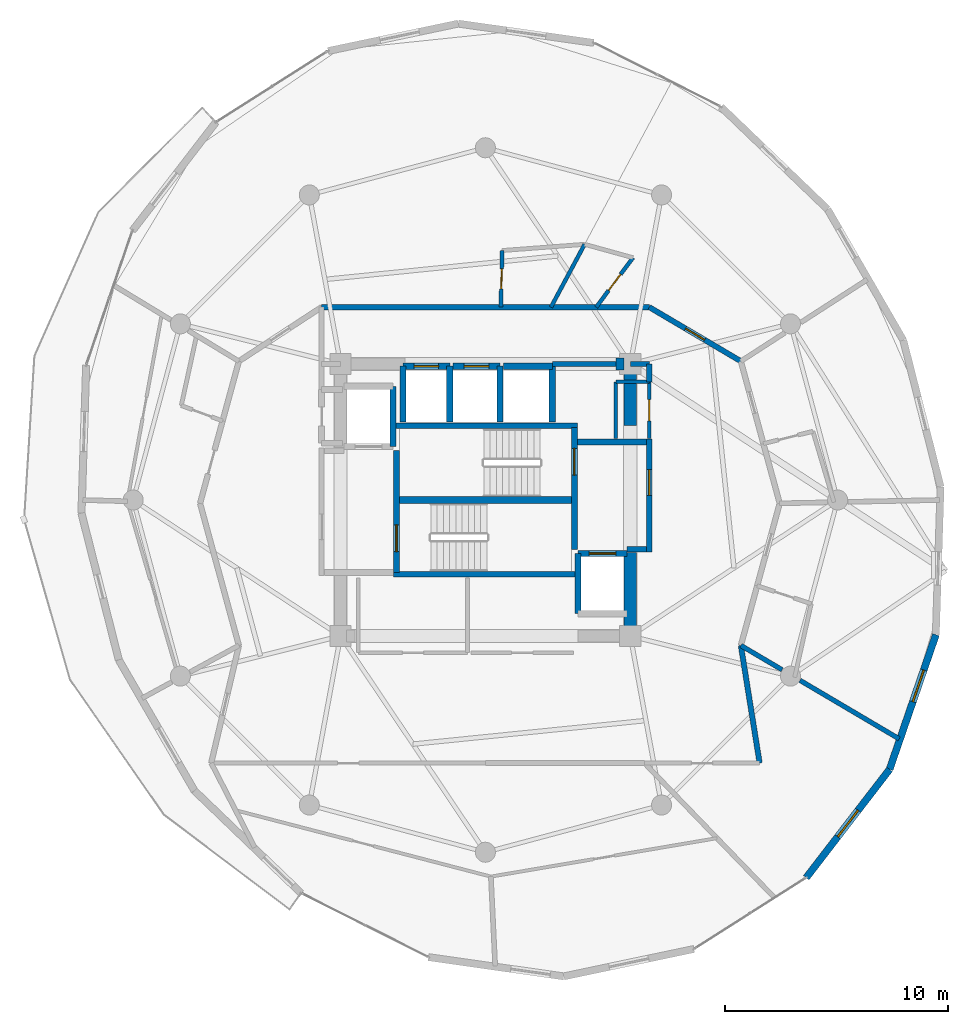
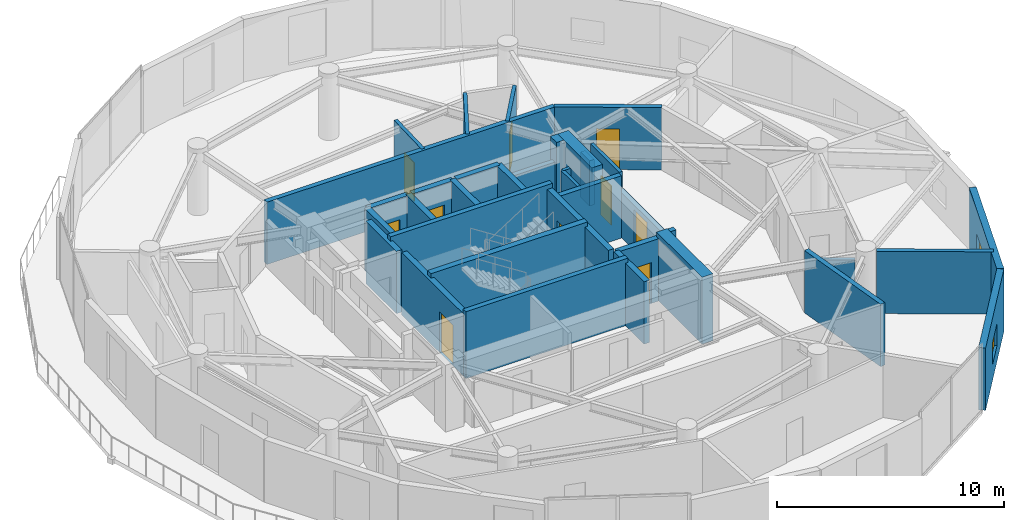
# One storey, part 16 of 19: 37 walls, 10 doors, 2 windows, 12 openings.
"""IFC4 building model written with IfcOpenShell, lengths in metres."""

from ifc_helpers import new_model, si_unit, direction, frame, frame_2d, origin, place, context, subcontext, project, spatial, rectangle, extrude, material, layer, layer_set, type_object, element, fill, save


model = new_model("IFC4")

# Units and contexts
model_context = context("Model", 3, precision=1e-05, world=origin(), true_north=direction((0.0, 1.0)))
body_context = subcontext(model_context, "Body", "Model", "MODEL_VIEW")
ifc_project = project(units=[si_unit("LENGTHUNIT", "METRE"), si_unit("AREAUNIT", "SQUARE_METRE"), si_unit("VOLUMEUNIT", "CUBIC_METRE"), si_unit("PLANEANGLEUNIT", "RADIAN"), si_unit("MASSUNIT", "GRAM", prefix="KILO")], contexts=[model_context])

# Site, building, storey
site_placement = place(None, origin())
site = spatial("IfcSite", under=ifc_project, at=site_placement, CompositionType="ELEMENT")
building_placement = place(site_placement, origin())
building = spatial("IfcBuilding", under=site, at=building_placement, Name="Solvirekh Grand Hotel", CompositionType="ELEMENT")
storey_placement = place(building_placement, frame((0.0, 0.0, 212.800048828125)))
storey = spatial("IfcBuildingStorey", under=building, at=storey_placement, Name="L55", CompositionType="ELEMENT", Elevation=212.800048828125)

# Walls
ifc_material_1 = material(Name="Concrete C50/60", Category="concrete")
ifc_layer_1 = layer(ifc_material_1, 0.35009765625)
ifc_layer_set_1 = layer_set([ifc_layer_1], Name="Concrete C50/60")
wall_type_1 = type_object("IfcWallType", Name="CoreDivWall_RC350", PredefinedType="SOLIDWALL", material=ifc_layer_set_1)
for number, where, z_axis, x_axis, name in (
    (1, (-4.1298828125, -3.324951171875, 0.0), (0.0, 0.0, 1.0), (1.0, 0.0, 0.0), "L55 core stair box wall ST-S"),
    (2, (-4.1298828125, 3.324951171875, 0.0), (0.0, 0.0, 1.0), (1.0, 0.0, 0.0), "L55 core stair box wall ST-N"),
):
    element("IfcWall", number, at=place(storey_placement, frame(where, z_axis=z_axis, x_axis=x_axis)), inside=storey, type_object=wall_type_1, Name=name, PredefinedType="SOLIDWALL", context=body_context, shape_type="SweptSolid", body=[
        extrude(rectangle(XDim=8.259765625, YDim=0.25, at=frame_2d((4.1298828125, 0.0))), origin(), (0.0, 0.0, 1.0), 3.599853515625),
    ])

# Wall, opening, door
ifc_material_2 = material(Name="Concrete C40/50", Category="concrete")
ifc_layer_2 = layer(ifc_material_2, 0.280029296875)
ifc_layer_set_2 = layer_set([ifc_layer_2], Name="Concrete C40/50")
wall_type_2 = type_object("IfcWallType", Name="CoreShaftWall_RC280", PredefinedType="SOLIDWALL", material=ifc_layer_set_2)
wall_1_placement = place(storey_placement, frame((-1.60009765625, 6.0, 0.0), z_axis=(0.0, 0.0, 1.0), x_axis=(-1.0, 0.0, 0.0)))
wall_1 = element("IfcWall", 3, at=wall_1_placement, inside=storey, type_object=wall_type_2, Name="L55 HP-1 hoistway N wall", PredefinedType="SOLIDWALL", context=body_context, shape_type="SweptSolid", body=[
    extrude(rectangle(XDim=2.099853515625, YDim=0.280029296875, at=frame_2d((1.0498046875, 0.0))), origin(), (0.0, 0.0, 1.0), 3.35986328125),
])
opening_1_placement = place(wall_1_placement, frame((0.5, 0.0, 0.0)))
opening_1 = element("IfcOpeningElement", 4, at=opening_1_placement, cuts=wall_1, Name="Opening LD01", PredefinedType="OPENING", context=body_context, shape_type="SweptSolid", body=[
    extrude(rectangle(XDim=1.10009765625, YDim=2.199951171875, at=frame_2d((0.550048828125, 1.10009765625))), frame((0.0, 0.14990234375, 0.0), z_axis=(0.0, -1.0, 0.0), x_axis=(1.0, 0.0, 0.0)), (0.0, 0.0, 1.0), 0.300048828125),
])
ifc_material_3 = material(Name="Fire-Rated Steel Door Assembly", Category="steel")
door_type_1 = type_object("IfcDoorType", Name="Door_LiftLanding_1100X2200", OperationType="SLIDING_TO_LEFT", PredefinedType="DOOR", material=ifc_material_3)
door_1_placement = place(opening_1_placement, origin())
door_1 = element("IfcDoor", 5, at=door_1_placement, inside=storey, type_object=door_type_1, Name="L55 HP-1 sliding lift landing door", OperationType="SLIDING_TO_LEFT", OverallHeight=2.199951171875, OverallWidth=1.10009765625, PredefinedType="DOOR", context=body_context, shape_type="SweptSolid", body=[
    extrude(rectangle(XDim=1.10009765625, YDim=2.199951171875, at=frame_2d((0.550048828125, 1.10009765625))), frame((0.0, 0.02490234375, 0.0), z_axis=(0.0, -1.0, 0.0), x_axis=(1.0, 0.0, 0.0)), (0.0, 0.0, 1.0), 0.050048828125),
])
fill(opening_1, door_1)

# Walls
for number, where, z_axis, x_axis, name in (
    (6, (-3.699951171875, 6.0, 0.0), (0.0, 0.0, 1.0), (0.0, -1.0, 0.0), "L55 HP-1 hoistway W wall"),
    (7, (-1.60009765625, 3.5, 0.0), (0.0, 0.0, 1.0), (0.0, 1.0, 0.0), "L55 HP-1 hoistway E wall"),
):
    element("IfcWall", number, at=place(storey_placement, frame(where, z_axis=z_axis, x_axis=x_axis)), inside=storey, type_object=wall_type_2, Name=name, PredefinedType="SOLIDWALL", context=body_context, shape_type="SweptSolid", body=[
        extrude(rectangle(XDim=2.5, YDim=0.280029296875, at=frame_2d((1.25, 0.0))), origin(), (0.0, 0.0, 1.0), 3.35986328125),
    ])

# Wall, opening, door
wall_2_placement = place(storey_placement, frame((0.64990234375, 6.0, 0.0), z_axis=(0.0, 0.0, 1.0), x_axis=(-1.0, 0.0, 0.0)))
wall_2 = element("IfcWall", 8, at=wall_2_placement, inside=storey, type_object=wall_type_2, Name="L55 HP-2 hoistway N wall", PredefinedType="SOLIDWALL", context=body_context, shape_type="SweptSolid", body=[
    extrude(rectangle(XDim=2.099853515625, YDim=0.280029296875, at=frame_2d((1.0498046875, 0.0))), origin(), (0.0, 0.0, 1.0), 3.35986328125),
])
opening_2_placement = place(wall_2_placement, frame((0.5, 0.0, 0.0)))
opening_2 = element("IfcOpeningElement", 9, at=opening_2_placement, cuts=wall_2, Name="Opening LD01", PredefinedType="OPENING", context=body_context, shape_type="SweptSolid", body=[
    extrude(rectangle(XDim=1.10009765625, YDim=2.199951171875, at=frame_2d((0.550048828125, 1.10009765625))), frame((0.0, 0.14990234375, 0.0), z_axis=(0.0, -1.0, 0.0), x_axis=(1.0, 0.0, 0.0)), (0.0, 0.0, 1.0), 0.300048828125),
])
door_2_placement = place(opening_2_placement, origin())
door_2 = element("IfcDoor", 10, at=door_2_placement, inside=storey, type_object=door_type_1, Name="L55 HP-2 sliding lift landing door", OperationType="SLIDING_TO_LEFT", OverallHeight=2.199951171875, OverallWidth=1.10009765625, PredefinedType="DOOR", context=body_context, shape_type="SweptSolid", body=[
    extrude(rectangle(XDim=1.10009765625, YDim=2.199951171875, at=frame_2d((0.550048828125, 1.10009765625))), frame((0.0, 0.02490234375, 0.0), z_axis=(0.0, -1.0, 0.0), x_axis=(1.0, 0.0, 0.0)), (0.0, 0.0, 1.0), 0.050048828125),
])
fill(opening_2, door_2)

# Walls
wall_3_placement = place(storey_placement, frame((0.64990234375, 3.5, 0.0), z_axis=(0.0, 0.0, 1.0), x_axis=(0.0, 1.0, 0.0)))
element("IfcWall", 11, at=wall_3_placement, inside=storey, type_object=wall_type_2, Name="L55 HP-2 hoistway E wall", PredefinedType="SOLIDWALL", context=body_context, shape_type="SweptSolid", body=[
    extrude(rectangle(XDim=2.5, YDim=0.280029296875, at=frame_2d((1.25, 0.0))), origin(), (0.0, 0.0, 1.0), 3.35986328125),
])
wall_4_placement = place(storey_placement, frame((3.0, 6.0, 0.0), z_axis=(0.0, 0.0, 1.0), x_axis=(-1.0, 0.0, 0.0)))
element("IfcWall", 12, at=wall_4_placement, inside=storey, type_object=wall_type_2, Name="L55 EX-1 hoistway N wall", PredefinedType="SOLIDWALL", context=body_context, shape_type="SweptSolid", body=[
    extrude(rectangle(XDim=2.199951171875, YDim=0.280029296875, at=frame_2d((1.10009765625, 0.0))), origin(), (0.0, 0.0, 1.0), 3.35986328125),
])
wall_5_placement = place(storey_placement, frame((3.0, 3.5, 0.0), z_axis=(0.0, 0.0, 1.0), x_axis=(0.0, 1.0, 0.0)))
element("IfcWall", 13, at=wall_5_placement, inside=storey, type_object=wall_type_2, Name="L55 EX-1 hoistway E wall", PredefinedType="SOLIDWALL", context=body_context, shape_type="SweptSolid", body=[
    extrude(rectangle(XDim=2.5, YDim=0.280029296875, at=frame_2d((1.25, 0.0))), origin(), (0.0, 0.0, 1.0), 3.35986328125),
])
wall_6_placement = place(storey_placement, frame((-4.14990234375, 2.39990234375, 0.0), z_axis=(0.0, 0.0, 1.0), x_axis=(0.0, 1.0, 0.0)))
element("IfcWall", 14, at=wall_6_placement, inside=storey, type_object=wall_type_2, Name="L55 FL-1 hoistway E wall", PredefinedType="SOLIDWALL", context=body_context, shape_type="SweptSolid", body=[
    extrude(rectangle(XDim=2.7001953125, YDim=0.280029296875, at=frame_2d((1.35009765625, 0.0))), origin(), (0.0, 0.0, 1.0), 3.35986328125),
])

# Wall, opening, door
wall_7_placement = place(storey_placement, frame((6.35009765625, -2.39990234375, 0.0), z_axis=(0.0, 0.0, 1.0), x_axis=(-1.0, 0.0, 0.0)))
wall_7 = element("IfcWall", 15, at=wall_7_placement, inside=storey, type_object=wall_type_2, Name="L55 FL-2 hoistway N wall", PredefinedType="SOLIDWALL", context=body_context, shape_type="SweptSolid", body=[
    extrude(rectangle(XDim=2.2001953125, YDim=0.280029296875, at=frame_2d((1.10009765625, 0.0))), origin(), (0.0, 0.0, 1.0), 3.35986328125),
])
opening_3_placement = place(wall_7_placement, frame((0.5, 0.0, 0.0)))
opening_3 = element("IfcOpeningElement", 16, at=opening_3_placement, cuts=wall_7, Name="Opening LD02", PredefinedType="OPENING", context=body_context, shape_type="SweptSolid", body=[
    extrude(rectangle(XDim=1.199951171875, YDim=2.199951171875, at=frame_2d((0.60009765625, 1.10009765625))), frame((0.0, 0.14990234375, 0.0), z_axis=(0.0, -1.0, 0.0), x_axis=(1.0, 0.0, 0.0)), (0.0, 0.0, 1.0), 0.300048828125),
])
door_type_2 = type_object("IfcDoorType", Name="Door_LiftFF_1200X2200", OperationType="SLIDING_TO_LEFT", PredefinedType="DOOR", material=ifc_material_3)
door_3_placement = place(opening_3_placement, origin())
door_3 = element("IfcDoor", 17, at=door_3_placement, inside=storey, type_object=door_type_2, Name="L55 FL-2 sliding lift landing door", OperationType="SLIDING_TO_LEFT", OverallHeight=2.199951171875, OverallWidth=1.199951171875, PredefinedType="DOOR", context=body_context, shape_type="SweptSolid", body=[
    extrude(rectangle(XDim=1.199951171875, YDim=2.199951171875, at=frame_2d((0.60009765625, 1.10009765625))), frame((0.0, 0.02490234375, 0.0), z_axis=(0.0, -1.0, 0.0), x_axis=(1.0, 0.0, 0.0)), (0.0, 0.0, 1.0), 0.050048828125),
])
fill(opening_3, door_3)

# Wall
wall_8_placement = place(storey_placement, frame((4.14990234375, -2.39990234375, 0.0), z_axis=(0.0, 0.0, 1.0), x_axis=(0.0, -1.0, 0.0)))
element("IfcWall", 18, at=wall_8_placement, inside=storey, type_object=wall_type_2, Name="L55 FL-2 hoistway W wall", PredefinedType="SOLIDWALL", context=body_context, shape_type="SweptSolid", body=[
    extrude(rectangle(XDim=2.7001953125, YDim=0.280029296875, at=frame_2d((1.35009765625, 0.0))), origin(), (0.0, 0.0, 1.0), 3.35986328125),
])

# Wall, opening, door
wall_9_placement = place(storey_placement, frame((-3.989990234375, -3.25, 0.0), z_axis=(0.0, 0.0, 1.0), x_axis=(0.0, 1.0, 0.0)))
wall_9 = element("IfcWall", 19, at=wall_9_placement, inside=storey, type_object=wall_type_2, Name="L55 west stair landing enclosure wall", PredefinedType="SOLIDWALL", context=body_context, shape_type="SweptSolid", body=[
    extrude(rectangle(XDim=5.4599609375, YDim=0.280029296875, at=frame_2d((2.72998046875, 0.0))), origin(), (0.0, 0.0, 1.0), 3.35986328125),
])
opening_4_placement = place(wall_9_placement, frame((0.93701171875, 0.0, 0.0)))
opening_4 = element("IfcOpeningElement", 20, at=opening_4_placement, cuts=wall_9, Name="Opening D05", PredefinedType="OPENING", context=body_context, shape_type="SweptSolid", body=[
    extrude(rectangle(XDim=1.199951171875, YDim=2.199951171875, at=frame_2d((0.60009765625, 1.10009765625))), frame((0.0, 0.14990234375, 0.0), z_axis=(0.0, -1.0, 0.0), x_axis=(1.0, 0.0, 0.0)), (0.0, 0.0, 1.0), 0.300048828125),
])
door_type_3 = type_object("IfcDoorType", Name="Door_StairCore_1200X2200", OperationType="NOTDEFINED", PredefinedType="DOOR", material=ifc_material_3)
door_4_placement = place(opening_4_placement, origin())
door_4 = element("IfcDoor", 21, at=door_4_placement, inside=storey, type_object=door_type_3, Name="L55 exit stair ST-1 fire door", OperationType="SINGLE_SWING_RIGHT", OverallHeight=2.199951171875, OverallWidth=1.199951171875, PredefinedType="DOOR", context=body_context, shape_type="SweptSolid", body=[
    extrude(rectangle(XDim=1.199951171875, YDim=2.199951171875, at=frame_2d((0.60009765625, 1.10009765625))), frame((0.0, 0.02490234375, 0.0), z_axis=(0.0, -1.0, 0.0), x_axis=(1.0, 0.0, 0.0)), (0.0, 0.0, 1.0), 0.050048828125),
])
fill(opening_4, door_4)

wall_10_placement = place(storey_placement, frame((3.989990234375, -2.2099609375, 0.0), z_axis=(0.0, 0.0, 1.0), x_axis=(0.0, 1.0, 0.0)))
wall_10 = element("IfcWall", 22, at=wall_10_placement, inside=storey, type_object=wall_type_2, Name="L55 east stair landing enclosure wall", PredefinedType="SOLIDWALL", context=body_context, shape_type="SweptSolid", body=[
    extrude(rectangle(XDim=5.4599609375, YDim=0.280029296875, at=frame_2d((2.72998046875, 0.0))), origin(), (0.0, 0.0, 1.0), 3.35986328125),
])
opening_5_placement = place(wall_10_placement, frame((3.322998046875, 0.0, 0.0)))
opening_5 = element("IfcOpeningElement", 23, at=opening_5_placement, cuts=wall_10, Name="Opening D05", PredefinedType="OPENING", context=body_context, shape_type="SweptSolid", body=[
    extrude(rectangle(XDim=1.199951171875, YDim=2.199951171875, at=frame_2d((0.60009765625, 1.10009765625))), frame((0.0, 0.14990234375, 0.0), z_axis=(0.0, -1.0, 0.0), x_axis=(1.0, 0.0, 0.0)), (0.0, 0.0, 1.0), 0.300048828125),
])
door_5_placement = place(opening_5_placement, origin())
door_5 = element("IfcDoor", 24, at=door_5_placement, inside=storey, type_object=door_type_3, Name="L55 exit stair ST-2 fire door", OperationType="SINGLE_SWING_LEFT", OverallHeight=2.199951171875, OverallWidth=1.199951171875, PredefinedType="DOOR", context=body_context, shape_type="SweptSolid", body=[
    extrude(rectangle(XDim=1.199951171875, YDim=2.199951171875, at=frame_2d((0.60009765625, 1.10009765625))), frame((0.0, 0.02490234375, 0.0), z_axis=(0.0, -1.0, 0.0), x_axis=(1.0, 0.0, 0.0)), (0.0, 0.0, 1.0), 0.050048828125),
])
fill(opening_5, door_5)

# Walls
ifc_layer_3 = layer(ifc_material_1, 0.550048828125)
ifc_layer_set_3 = layer_set([ifc_layer_3], Name="Concrete C50/60")
wall_type_3 = type_object("IfcWallType", Name="CoreWall_RC550", PredefinedType="SHEAR", material=ifc_layer_set_3)
wall_11_placement = place(storey_placement, frame((-3.989990234375, 0.0, 0.0), z_axis=(0.0, 0.0, 1.0), x_axis=(1.0, 0.0, 0.0)))
element("IfcWall", 25, at=wall_11_placement, inside=storey, type_object=wall_type_3, Name="L55 central stair-spine shear wall", PredefinedType="SHEAR", context=body_context, shape_type="SweptSolid", body=[
    extrude(rectangle(XDim=7.97998046875, YDim=0.300048828125, at=frame_2d((3.989990234375, 0.0))), origin(), (0.0, 0.0, 1.0), 3.599853515625),
])
wall_12_placement = place(storey_placement, frame((5.85009765625, 6.10009765625, 0.0), z_axis=(0.0, 0.0, 1.0), x_axis=(1.0, 0.0, 0.0)))
element("IfcWall", 26, at=wall_12_placement, inside=storey, type_object=wall_type_3, Name="L55 core corner shear wall NE-N", PredefinedType="SHEAR", context=body_context, shape_type="SweptSolid", body=[
    extrude(rectangle(XDim=0.375, YDim=0.550048828125, at=frame_2d((0.1875, 0.0))), origin(), (0.0, 0.0, 1.0), 3.599853515625),
])
wall_13_placement = place(storey_placement, frame((6.5, -6.375, 0.0), z_axis=(0.0, 0.0, 1.0), x_axis=(0.0, 1.0, 0.0)))
element("IfcWall", 27, at=wall_13_placement, inside=storey, type_object=wall_type_3, Name="L55 core corner shear wall ES-E", PredefinedType="SHEAR", context=body_context, shape_type="SweptSolid", body=[
    extrude(rectangle(XDim=4.02490234375, YDim=0.550048828125, at=frame_2d((2.012451171875, 0.0))), origin(), (0.0, 0.0, 1.0), 3.599853515625),
])
wall_14_placement = place(storey_placement, frame((6.5, 3.35009765625, 0.0), z_axis=(0.0, 0.0, 1.0), x_axis=(0.0, 1.0, 0.0)))
element("IfcWall", 28, at=wall_14_placement, inside=storey, type_object=wall_type_3, Name="L55 core corner shear wall EN-E", PredefinedType="SHEAR", context=body_context, shape_type="SweptSolid", body=[
    extrude(rectangle(XDim=3.02490234375, YDim=0.550048828125, at=frame_2d((1.512451171875, 0.0))), origin(), (0.0, 0.0, 1.0), 3.599853515625),
])

# Wall, opening, window
ifc_material_4 = material(Name="Precast concrete C45/55", Category="concrete")
ifc_layer_4 = layer(ifc_material_4, 0.320068359375)
ifc_layer_set_4 = layer_set([ifc_layer_4], Name="Precast concrete C45/55")
wall_type_4 = type_object("IfcWallType", Name="ExtLobbyWall_RC320", PredefinedType="SOLIDWALL", material=ifc_layer_set_4)
wall_15_placement = place(storey_placement, frame((18.1298828125, -12.083984375, 0.0), z_axis=(0.0, 0.0, 1.0), x_axis=(-0.609935864866, -0.79245078128, 0.0)))
wall_15 = element("IfcWall", 29, at=wall_15_placement, inside=storey, type_object=wall_type_4, Name="L55 cantilevered deck support wall chord 2", PredefinedType="SOLIDWALL", context=body_context, shape_type="SweptSolid", body=[
    extrude(rectangle(XDim=6.1318359375, YDim=0.320068359375, at=frame_2d((3.06591796875, 0.0))), origin(), (0.0, 0.0, 1.0), 3.35986328125),
])
opening_6_placement = place(wall_15_placement, frame((2.31591796875, 0.0, 0.85009765625)))
opening_6 = element("IfcOpeningElement", 30, at=opening_6_placement, cuts=wall_15, Name="Opening W05", PredefinedType="OPENING", context=body_context, shape_type="SweptSolid", body=[
    extrude(rectangle(XDim=1.5, YDim=1.199951171875, at=frame_2d((0.75, 0.60009765625))), frame((0.0, 0.169921875, 0.0), z_axis=(0.0, -1.0, 0.0), x_axis=(1.0, 0.0, 0.0)), (0.0, 0.0, 1.0), 0.340087890625),
])
ifc_material_5 = material(Name="Low-E Tinted Bronze Laminated Glass", Category="aluminium")
window_type = type_object("IfcWindowType", Name="Win_PlantVent_1500X1200", PartitioningType="SINGLE_PANEL", PredefinedType="WINDOW", material=ifc_material_5)
window_1_placement = place(opening_6_placement, origin())
window_1 = element("IfcWindow", 31, at=window_1_placement, inside=storey, type_object=window_type, Name="L55 bronze-framed vision ribbon window 2", OverallHeight=1.199951171875, OverallWidth=1.5, PartitioningType="SINGLE_PANEL", PredefinedType="WINDOW", context=body_context, shape_type="SweptSolid", body=[
    extrude(rectangle(XDim=1.5, YDim=1.199951171875, at=frame_2d((0.75, 0.60009765625))), frame((0.0, 0.030029296875, 0.0), z_axis=(0.0, -1.0, 0.0), x_axis=(1.0, 0.0, 0.0)), (0.0, 0.0, 1.0), 0.06005859375),
])
fill(opening_6, window_1)

wall_16_placement = place(storey_placement, frame((20.2080078125, -6.0419921875, 0.0), z_axis=(0.0, 0.0, 1.0), x_axis=(-0.325246353844, -0.94562931919, 0.0)))
wall_16 = element("IfcWall", 32, at=wall_16_placement, inside=storey, type_object=wall_type_4, Name="L55 cantilevered deck support wall chord 3", PredefinedType="SOLIDWALL", context=body_context, shape_type="SweptSolid", body=[
    extrude(rectangle(XDim=6.389404296875, YDim=0.320068359375, at=frame_2d((3.19482421875, 0.0))), origin(), (0.0, 0.0, 1.0), 3.35986328125),
])
opening_7_placement = place(wall_16_placement, frame((1.677978515625, 0.0, 0.85009765625)))
opening_7 = element("IfcOpeningElement", 33, at=opening_7_placement, cuts=wall_16, Name="Opening W05", PredefinedType="OPENING", context=body_context, shape_type="SweptSolid", body=[
    extrude(rectangle(XDim=1.5, YDim=1.199951171875, at=frame_2d((0.75, 0.60009765625))), frame((0.0, 0.169921875, 0.0), z_axis=(0.0, -1.0, 0.0), x_axis=(1.0, 0.0, 0.0)), (0.0, 0.0, 1.0), 0.340087890625),
])
window_2_placement = place(opening_7_placement, origin())
window_2 = element("IfcWindow", 34, at=window_2_placement, inside=storey, type_object=window_type, Name="L55 bronze-framed vision ribbon window 3", OverallHeight=1.199951171875, OverallWidth=1.5, PartitioningType="SINGLE_PANEL", PredefinedType="WINDOW", context=body_context, shape_type="SweptSolid", body=[
    extrude(rectangle(XDim=1.5, YDim=1.199951171875, at=frame_2d((0.75, 0.60009765625))), frame((0.0, 0.030029296875, 0.0), z_axis=(0.0, -1.0, 0.0), x_axis=(1.0, 0.0, 0.0)), (0.0, 0.0, 1.0), 0.06005859375),
])
fill(opening_7, window_2)

# Wall, opening, door
ifc_material_6 = material(Name="Acoustic Gypsum Partition Assembly")
ifc_layer_5 = layer(ifc_material_6, 0.1650390625)
ifc_layer_set_5 = layer_set([ifc_layer_5], Name="Acoustic Gypsum Partition Assembly")
wall_type_5 = type_object("IfcWallType", Name="Part_BOH_165", PredefinedType="PARTITIONING", material=ifc_layer_set_5)
wall_17_placement = place(storey_placement, frame((7.35009765625, 2.75, 0.0), z_axis=(0.0, 0.0, 1.0), x_axis=(0.0, 1.0, 0.0)))
wall_17 = element("IfcWall", 35, at=wall_17_placement, inside=storey, type_object=wall_type_5, Name="L55 L55 Core Housekeeping & Linen Room wall 2", PredefinedType="PARTITIONING", context=body_context, shape_type="SweptSolid", body=[
    extrude(rectangle(XDim=2.550048828125, YDim=0.1650390625, at=frame_2d((1.27490234375, 0.0))), origin(), (0.0, 0.0, 1.0), 3.35986328125),
])
opening_8_placement = place(wall_17_placement, frame((0.800048828125, 0.0, 0.0)))
opening_8 = element("IfcOpeningElement", 36, at=opening_8_placement, cuts=wall_17, Name="Opening D10", PredefinedType="OPENING", context=body_context, shape_type="SweptSolid", body=[
    extrude(rectangle(XDim=0.949951171875, YDim=2.10009765625, at=frame_2d((0.47509765625, 1.050048828125))), frame((0.0, 0.092529296875, 0.0), z_axis=(0.0, -1.0, 0.0), x_axis=(1.0, 0.0, 0.0)), (0.0, 0.0, 1.0), 0.18505859375),
])
ifc_material_7 = material(Name="Anodized Bronze Aluminium 6063-T6", Category="aluminium")
door_type_4 = type_object("IfcDoorType", Name="Door_RoomInt_950X2100", OperationType="NOTDEFINED", PredefinedType="DOOR", material=ifc_material_7)
door_6_placement = place(opening_8_placement, origin())
door_6 = element("IfcDoor", 37, at=door_6_placement, inside=storey, type_object=door_type_4, Name="L55 L55 Core Housekeeping & Linen Room door", OperationType="SINGLE_SWING_LEFT", OverallHeight=2.10009765625, OverallWidth=0.949951171875, PredefinedType="DOOR", context=body_context, shape_type="SweptSolid", body=[
    extrude(rectangle(XDim=0.949951171875, YDim=2.10009765625, at=frame_2d((0.47509765625, 1.050048828125))), frame((0.0, 0.02490234375, 0.0), z_axis=(0.0, -1.0, 0.0), x_axis=(1.0, 0.0, 0.0)), (0.0, 0.0, 1.0), 0.050048828125),
])
fill(opening_8, door_6)

# Walls
wall_18_placement = place(storey_placement, frame((7.35009765625, 5.300048828125, 0.0), z_axis=(0.0, 0.0, 1.0), x_axis=(-1.0, 0.0, 0.0)))
element("IfcWall", 38, at=wall_18_placement, inside=storey, type_object=wall_type_5, Name="L55 L55 Core Housekeeping & Linen Room wall 3", PredefinedType="PARTITIONING", context=body_context, shape_type="SweptSolid", body=[
    extrude(rectangle(XDim=1.5, YDim=0.1650390625, at=frame_2d((0.75, 0.0))), origin(), (0.0, 0.0, 1.0), 2.445068359375),
])
wall_19_placement = place(storey_placement, frame((5.85009765625, 5.300048828125, 0.0), z_axis=(0.0, 0.0, 1.0), x_axis=(0.0, -1.0, 0.0)))
element("IfcWall", 39, at=wall_19_placement, inside=storey, type_object=wall_type_5, Name="L55 L55 Core Housekeeping & Linen Room wall 4", PredefinedType="PARTITIONING", context=body_context, shape_type="SweptSolid", body=[
    extrude(rectangle(XDim=2.550048828125, YDim=0.1650390625, at=frame_2d((1.27490234375, 0.0))), origin(), (0.0, 0.0, 1.0), 2.445068359375),
])

# Wall, opening, door
ifc_layer_6 = layer(ifc_material_6, 0.239990234375)
ifc_layer_set_6 = layer_set([ifc_layer_6], Name="Acoustic Gypsum Partition Assembly")
wall_type_6 = type_object("IfcWallType", Name="Part_Corridor_240", PredefinedType="PARTITIONING", material=ifc_layer_set_6)
wall_20_placement = place(storey_placement, frame((7.35009765625, -2.340087890625, 0.0), z_axis=(0.0, 0.0, 1.0), x_axis=(0.0, 1.0, 0.0)))
wall_20 = element("IfcWall", 40, at=wall_20_placement, inside=storey, type_object=wall_type_6, Name="L55 east firefighting lobby smoke screen wall", PredefinedType="PARTITIONING", context=body_context, shape_type="SweptSolid", body=[
    extrude(rectangle(XDim=5.070068359375, YDim=0.239990234375, at=frame_2d((2.53515625, 0.0))), origin(), (0.0, 0.0, 1.0), 2.445068359375),
])
opening_9_placement = place(wall_20_placement, frame((2.548095703125, 0.0, 0.0)))
opening_9 = element("IfcOpeningElement", 41, at=opening_9_placement, cuts=wall_20, Name="Opening D06", PredefinedType="OPENING", context=body_context, shape_type="SweptSolid", body=[
    extrude(rectangle(XDim=1.14990234375, YDim=2.199951171875, at=frame_2d((0.574951171875, 1.10009765625))), frame((0.0, 0.1298828125, 0.0), z_axis=(0.0, -1.0, 0.0), x_axis=(1.0, 0.0, 0.0)), (0.0, 0.0, 1.0), 0.260009765625),
])
door_type_5 = type_object("IfcDoorType", Name="Door_FFLobby_1150X2200", OperationType="NOTDEFINED", PredefinedType="DOOR", material=ifc_material_3)
door_7_placement = place(opening_9_placement, origin())
door_7 = element("IfcDoor", 42, at=door_7_placement, inside=storey, type_object=door_type_5, Name="L55 east firefighting lobby smoke door", OperationType="SINGLE_SWING_LEFT", OverallHeight=2.199951171875, OverallWidth=1.14990234375, PredefinedType="DOOR", context=body_context, shape_type="SweptSolid", body=[
    extrude(rectangle(XDim=1.14990234375, YDim=2.199951171875, at=frame_2d((0.574951171875, 1.10009765625))), frame((0.0, 0.02490234375, 0.0), z_axis=(0.0, -1.0, 0.0), x_axis=(1.0, 0.0, 0.0)), (0.0, 0.0, 1.0), 0.050048828125),
])
fill(opening_9, door_7)

# Walls
wall_21_placement = place(storey_placement, frame((-7.35009765625, 8.64990234375, 0.0), z_axis=(0.0, 0.0, 1.0), x_axis=(1.0, 0.0, 0.0)))
element("IfcWall", 43, at=wall_21_placement, inside=storey, type_object=wall_type_6, Name="L55 north lift lobby enclosure wall", PredefinedType="PARTITIONING", context=body_context, shape_type="SweptSolid", body=[
    extrude(rectangle(XDim=14.7001953125, YDim=0.239990234375, at=frame_2d((7.35009765625, 0.0))), origin(), (0.0, 0.0, 1.0), 3.35986328125),
])
wall_22_placement = place(storey_placement, frame((3.0, 6.10009765625, 0.0), z_axis=(0.0, 0.0, 1.0), x_axis=(1.0, 0.0, 0.0)))
element("IfcWall", 44, at=wall_22_placement, inside=storey, type_object=wall_type_6, Name="L55 north core shaft infill wall", PredefinedType="PARTITIONING", context=body_context, shape_type="SweptSolid", body=[
    extrude(rectangle(XDim=2.85009765625, YDim=0.239990234375, at=frame_2d((1.425048828125, 0.0))), origin(), (0.0, 0.0, 1.0), 2.445068359375),
])
wall_23_placement = place(storey_placement, frame((7.35009765625, 5.300048828125, 0.0), z_axis=(0.0, 0.0, 1.0), x_axis=(0.0, 1.0, 0.0)))
element("IfcWall", 45, at=wall_23_placement, inside=storey, type_object=wall_type_6, Name="L55 NE core cheek closure wall", PredefinedType="PARTITIONING", context=body_context, shape_type="SweptSolid", body=[
    extrude(rectangle(XDim=0.800048828125, YDim=0.239990234375, at=frame_2d((0.39990234375, 0.0))), origin(), (0.0, 0.0, 1.0), 2.445068359375),
])
wall_24_placement = place(storey_placement, frame((6.5, 6.10009765625, 0.0), z_axis=(0.0, 0.0, 1.0), x_axis=(1.0, 0.0, 0.0)))
element("IfcWall", 46, at=wall_24_placement, inside=storey, type_object=wall_type_6, Name="L55 NE core corner tie wall", PredefinedType="PARTITIONING", context=body_context, shape_type="SweptSolid", body=[
    extrude(rectangle(XDim=0.85009765625, YDim=0.239990234375, at=frame_2d((0.425048828125, 0.0))), origin(), (0.0, 0.0, 1.0), 2.8759765625),
])

# Wall, opening, door
wall_25_placement = place(storey_placement, frame((7.35009765625, 8.64990234375, 0.0), z_axis=(0.0, 0.0, 1.0), x_axis=(0.861164858472, -0.508325768118, 0.0)))
wall_25 = element("IfcWall", 47, at=wall_25_placement, inside=storey, type_object=wall_type_6, Name="L55 Deluxe Guestroom 5701 entrance wall", PredefinedType="PARTITIONING", context=body_context, shape_type="SweptSolid", body=[
    extrude(rectangle(XDim=4.770263671875, YDim=0.239990234375, at=frame_2d((2.38525390625, 0.0))), origin(), (0.0, 0.0, 1.0), 3.35986328125),
])
opening_10_placement = place(wall_25_placement, frame((1.885009765625, 0.0, 0.0)))
opening_10 = element("IfcOpeningElement", 48, at=opening_10_placement, cuts=wall_25, Name="Opening D07", PredefinedType="OPENING", context=body_context, shape_type="SweptSolid", body=[
    extrude(rectangle(XDim=1.0, YDim=2.199951171875, at=frame_2d((0.5, 1.10009765625))), frame((0.0, 0.1298828125, 0.0), z_axis=(0.0, -1.0, 0.0), x_axis=(1.0, 0.0, 0.0)), (0.0, 0.0, 1.0), 0.260009765625),
])
door_type_6 = type_object("IfcDoorType", Name="Door_GuestEntry_1000X2200", OperationType="NOTDEFINED", PredefinedType="DOOR", material=ifc_material_3)
door_8_placement = place(opening_10_placement, origin())
door_8 = element("IfcDoor", 49, at=door_8_placement, inside=storey, type_object=door_type_6, Name="L55 Deluxe Guestroom 5701 entrance door", OperationType="SINGLE_SWING_LEFT", OverallHeight=2.199951171875, OverallWidth=1.0, PredefinedType="DOOR", context=body_context, shape_type="SweptSolid", body=[
    extrude(rectangle(XDim=1.0, YDim=2.199951171875, at=frame_2d((0.5, 1.10009765625))), frame((0.0, 0.02490234375, 0.0), z_axis=(0.0, -1.0, 0.0), x_axis=(1.0, 0.0, 0.0)), (0.0, 0.0, 1.0), 0.050048828125),
])
fill(opening_10, door_8)

# Walls
wall_26_placement = place(storey_placement, frame((12.300048828125, -11.800048828125, 0.0), z_axis=(0.0, 0.0, 1.0), x_axis=(-0.157628647668, 0.987498460472, 0.0)))
element("IfcWall", 50, at=wall_26_placement, inside=storey, type_object=wall_type_6, Name="L55 L55 Butler Valet & Linen Steward Room corridor wall 1", PredefinedType="PARTITIONING", context=body_context, shape_type="SweptSolid", body=[
    extrude(rectangle(XDim=5.342041015625, YDim=0.239990234375, at=frame_2d((2.6708984375, 0.0))), origin(), (0.0, 0.0, 1.0), 3.35986328125),
])
ifc_layer_7 = layer(ifc_material_6, 0.260009765625)
ifc_layer_set_7 = layer_set([ifc_layer_7], Name="Acoustic Gypsum Partition Assembly")
wall_type_7 = type_object("IfcWallType", Name="Part_LobbyFF_260", PredefinedType="PARTITIONING", material=ifc_layer_set_7)
wall_27_placement = place(storey_placement, frame((6.35009765625, -2.2099609375, 0.0), z_axis=(0.0, 0.0, 1.0), x_axis=(1.0, 0.0, 0.0)))
element("IfcWall", 51, at=wall_27_placement, inside=storey, type_object=wall_type_7, Name="L55 east firefighting lobby SE cheek", PredefinedType="PARTITIONING", context=body_context, shape_type="SweptSolid", body=[
    extrude(rectangle(XDim=0.875, YDim=0.260009765625, at=frame_2d((0.4375, 0.0))), origin(), (0.0, 0.0, 1.0), 3.35986328125),
])
wall_28_placement = place(storey_placement, frame((4.1298828125, 2.60009765625, 0.0), z_axis=(0.0, 0.0, 1.0), x_axis=(1.0, 0.0, 0.0)))
element("IfcWall", 52, at=wall_28_placement, inside=storey, type_object=wall_type_7, Name="L55 east firefighting lobby north partition", PredefinedType="PARTITIONING", context=body_context, shape_type="SweptSolid", body=[
    extrude(rectangle(XDim=3.09521484375, YDim=0.260009765625, at=frame_2d((1.547607421875, 0.0))), origin(), (0.0, 0.0, 1.0), 3.35986328125),
])
ifc_layer_8 = layer(ifc_material_6, 0.2099609375)
ifc_layer_set_8 = layer_set([ifc_layer_8], Name="Acoustic Gypsum Partition Assembly")
wall_type_8 = type_object("IfcWallType", Name="Part_SuiteDemise_210", PredefinedType="PARTITIONING", material=ifc_layer_set_8)
wall_29_placement = place(storey_placement, frame((11.4580078125, -6.52490234375, 0.0), z_axis=(0.0, 0.0, 1.0), x_axis=(0.86117076556, -0.508315760669, 0.0)))
element("IfcWall", 53, at=wall_29_placement, inside=storey, type_object=wall_type_8, Name="L55 suite radial wall 12 (A)", PredefinedType="PARTITIONING", context=body_context, shape_type="SweptSolid", body=[
    extrude(rectangle(XDim=2.1484375, YDim=0.2099609375, at=frame_2d((1.07421875, 0.0))), origin(), (0.0, 0.0, 1.0), 2.8759765625),
])
wall_30_placement = place(storey_placement, frame((14.112060546875, -8.091064453125, 0.0), z_axis=(0.0, 0.0, 1.0), x_axis=(0.861245459465, -0.508189195626, 0.0)))
element("IfcWall", 54, at=wall_30_placement, inside=storey, type_object=wall_type_8, Name="L55 suite radial wall 12 (B)", PredefinedType="PARTITIONING", context=body_context, shape_type="SweptSolid", body=[
    extrude(rectangle(XDim=5.16357421875, YDim=0.2099609375, at=frame_2d((2.581787109375, 0.0))), origin(), (0.0, 0.0, 1.0), 3.35986328125),
])
ifc_layer_9 = layer(ifc_material_6, 0.175048828125)
ifc_layer_set_9 = layer_set([ifc_layer_9], Name="Acoustic Gypsum Partition Assembly")
wall_type_9 = type_object("IfcWallType", Name="Plumb_Ensuite_175", PredefinedType="PLUMBINGWALL", material=ifc_layer_set_9)
wall_31_placement = place(storey_placement, frame((4.449951171875, 11.468017578125, 0.0), z_axis=(0.0, 0.0, 1.0), x_axis=(-0.472295577566, -0.881440234736, 0.0)))
element("IfcWall", 55, at=wall_31_placement, inside=storey, type_object=wall_type_9, Name="L55 En-suite Bathroom 5701 side plumbing wall", PredefinedType="PLUMBINGWALL", context=body_context, shape_type="SweptSolid", body=[
    extrude(rectangle(XDim=3.197265625, YDim=0.175048828125, at=frame_2d((1.5986328125, 0.0))), origin(), (0.0, 0.0, 1.0), 3.35986328125),
])

# Wall, opening, door
wall_32_placement = place(storey_placement, frame((4.968994140625, 8.64990234375, 0.0), z_axis=(0.0, 0.0, 1.0), x_axis=(0.596675067376, 0.802482936872, 0.0)))
wall_32 = element("IfcWall", 56, at=wall_32_placement, inside=storey, type_object=wall_type_9, Name="L55 En-suite Bathroom 5701 entry plumbing wall", PredefinedType="PLUMBINGWALL", context=body_context, shape_type="SweptSolid", body=[
    extrude(rectangle(XDim=2.76513671875, YDim=0.175048828125, at=frame_2d((1.382568359375, 0.0))), origin(), (0.0, 0.0, 1.0), 3.35986328125),
])
opening_11_placement = place(wall_32_placement, frame((0.93310546875, 0.0, 0.0)))
opening_11 = element("IfcOpeningElement", 57, at=opening_11_placement, cuts=wall_32, Name="Opening D09", PredefinedType="OPENING", context=body_context, shape_type="SweptSolid", body=[
    extrude(rectangle(XDim=0.89990234375, YDim=2.10009765625, at=frame_2d((0.449951171875, 1.050048828125))), frame((0.0, 0.09765625, 0.0), z_axis=(0.0, -1.0, 0.0), x_axis=(1.0, 0.0, 0.0)), (0.0, 0.0, 1.0), 0.195068359375),
])
door_type_7 = type_object("IfcDoorType", Name="Door_Ensuite_900X2100", OperationType="NOTDEFINED", PredefinedType="DOOR", material=ifc_material_7)
door_9_placement = place(opening_11_placement, origin())
door_9 = element("IfcDoor", 58, at=door_9_placement, inside=storey, type_object=door_type_7, Name="L55 En-suite Bathroom 5701 door", OperationType="SINGLE_SWING_RIGHT", OverallHeight=2.10009765625, OverallWidth=0.89990234375, PredefinedType="DOOR", context=body_context, shape_type="SweptSolid", body=[
    extrude(rectangle(XDim=0.89990234375, YDim=2.10009765625, at=frame_2d((0.449951171875, 1.050048828125))), frame((0.0, 0.02490234375, 0.0), z_axis=(0.0, -1.0, 0.0), x_axis=(1.0, 0.0, 0.0)), (0.0, 0.0, 1.0), 0.050048828125),
])
fill(opening_11, door_9)

wall_33_placement = place(storey_placement, frame((0.7529296875, 11.18994140625, 0.0), z_axis=(0.0, 0.0, 1.0), x_axis=(-0.024790533277, -0.999692667503, 0.0)))
wall_33 = element("IfcWall", 59, at=wall_33_placement, inside=storey, type_object=wall_type_9, Name="L55 En-suite Bathroom 5702 entry plumbing wall", PredefinedType="PLUMBINGWALL", context=body_context, shape_type="SweptSolid", body=[
    extrude(rectangle(XDim=2.540771484375, YDim=0.175048828125, at=frame_2d((1.2705078125, 0.0))), origin(), (0.0, 0.0, 1.0), 3.35986328125),
])
opening_12_placement = place(wall_33_placement, frame((0.820068359375, 0.0, 0.0)))
opening_12 = element("IfcOpeningElement", 60, at=opening_12_placement, cuts=wall_33, Name="Opening D09", PredefinedType="OPENING", context=body_context, shape_type="SweptSolid", body=[
    extrude(rectangle(XDim=0.89990234375, YDim=2.10009765625, at=frame_2d((0.449951171875, 1.050048828125))), frame((0.0, 0.09765625, 0.0), z_axis=(0.0, -1.0, 0.0), x_axis=(1.0, 0.0, 0.0)), (0.0, 0.0, 1.0), 0.195068359375),
])
door_10_placement = place(opening_12_placement, origin())
door_10 = element("IfcDoor", 61, at=door_10_placement, inside=storey, type_object=door_type_7, Name="L55 En-suite Bathroom 5702 door", OperationType="SINGLE_SWING_RIGHT", OverallHeight=2.10009765625, OverallWidth=0.89990234375, PredefinedType="DOOR", context=body_context, shape_type="SweptSolid", body=[
    extrude(rectangle(XDim=0.89990234375, YDim=2.10009765625, at=frame_2d((0.449951171875, 1.050048828125))), frame((0.0, 0.02490234375, 0.0), z_axis=(0.0, -1.0, 0.0), x_axis=(1.0, 0.0, 0.0)), (0.0, 0.0, 1.0), 0.050048828125),
])
fill(opening_12, door_10)

save(model, "model.ifc")
